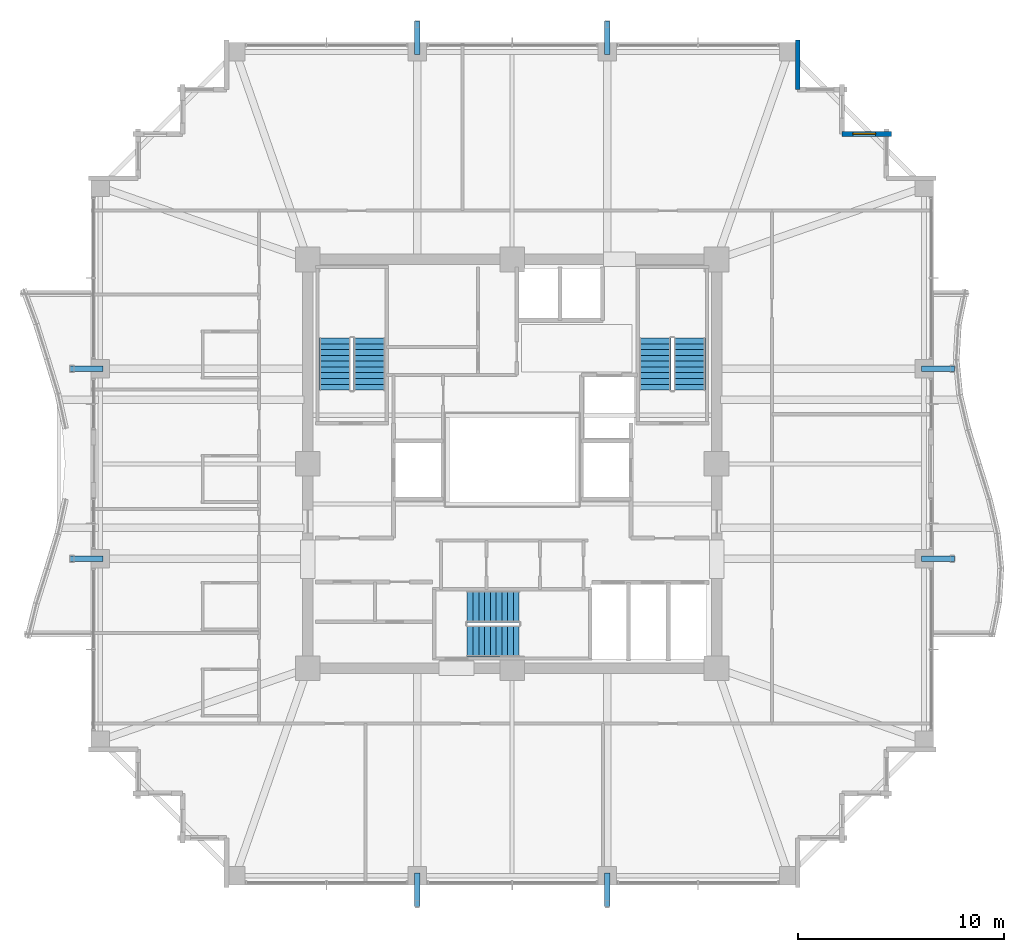
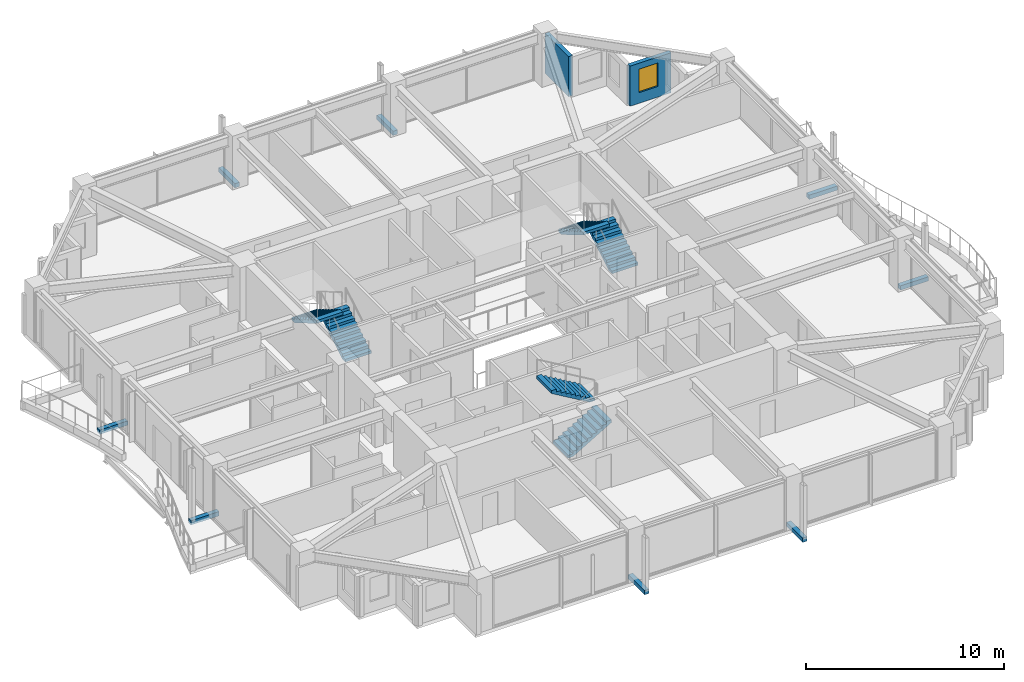
# One storey, part 33 of 35: 8 discrete accessories, 6 stair flights, 2 walls, 1 window, 1 opening, 3 elements without a shape of their own.
"""IFC4 building model written with IfcOpenShell, lengths in metres."""

from ifc_helpers import new_model, si_unit, direction, frame, frame_2d, origin, origin_2d, place, context, subcontext, project, spatial, polyline, rectangle, outline, extrude, material, layer, layer_set, type_object, element, fill, aggregate, save


model = new_model("IFC4")

# Units and contexts
model_context = context("Model", 3, precision=1e-05, world=origin(), true_north=direction((0.0, 1.0)))
body_context = subcontext(model_context, "Body", "Model", "MODEL_VIEW")
ifc_project = project(units=[si_unit("LENGTHUNIT", "METRE"), si_unit("AREAUNIT", "SQUARE_METRE"), si_unit("VOLUMEUNIT", "CUBIC_METRE"), si_unit("PLANEANGLEUNIT", "RADIAN"), si_unit("MASSUNIT", "GRAM", prefix="KILO")], contexts=[model_context])

# Site, building, storey
site_placement = place(None, origin())
site = spatial("IfcSite", under=ifc_project, at=site_placement, CompositionType="ELEMENT")
building_placement = place(site_placement, origin())
building = spatial("IfcBuilding", under=site, at=building_placement, Name="Kolvaren Belvedere", CompositionType="ELEMENT")
storey_placement = place(building_placement, frame((0.0, 0.0, 183.300048828125)))
storey = spatial("IfcBuildingStorey", under=building, at=storey_placement, Name="L53", CompositionType="ELEMENT", Elevation=183.300048828125)

# Wall, opening, window
ifc_material_1 = material(Name="Insulated pale-metal facade wall assembly", Category="aluminium")
ifc_layer = layer(ifc_material_1, 0.239990234375)
ifc_layer_set = layer_set([ifc_layer], Name="Insulated pale-metal facade wall assembly")
wall_type = type_object("IfcWallType", Name="WL-EXT-240", PredefinedType="STANDARD", material=ifc_layer_set)
wall_1_placement = place(storey_placement, frame((15.97998046875, 15.97998046875, 0.0), z_axis=(0.0, 0.0, 1.0), x_axis=(1.0, 0.0, 0.0)))
wall_1 = element("IfcWall", 1, at=wall_1_placement, inside=storey, type_object=wall_type, Name="L53 Serrated Corner Facade Wall 11", PredefinedType="STANDARD", context=body_context, shape_type="SweptSolid", body=[
    extrude(rectangle(XDim=2.39013671875, YDim=0.239990234375, at=frame_2d((1.195068359375, 0.0))), origin(), (0.0, 0.0, 1.0), 2.462890625),
])
opening_placement = place(wall_1_placement, frame((0.52490234375, 0.0, 0.64990234375)))
opening = element("IfcOpeningElement", 2, at=opening_placement, cuts=wall_1, Name="Opening W-1100", PredefinedType="OPENING", context=body_context, shape_type="SweptSolid", body=[
    extrude(rectangle(XDim=1.10009765625, YDim=1.449951171875, at=frame_2d((0.550048828125, 0.72509765625))), frame((0.0, 0.1298828125, 0.0), z_axis=(0.0, -1.0, 0.0), x_axis=(1.0, 0.0, 0.0)), (0.0, 0.0, 1.0), 0.260009765625),
])
ifc_material_2 = material(Name="Low-iron triple insulated glass", Category="glass")
window_type = type_object("IfcWindowType", Name="WN-CORN-1100", PartitioningType="SINGLE_PANEL", PredefinedType="WINDOW", material=ifc_material_2)
window_placement = place(opening_placement, origin())
window = element("IfcWindow", 3, at=window_placement, inside=storey, type_object=window_type, Name="L53 Serrated Corner Vision Window 11", OverallHeight=1.449951171875, OverallWidth=1.10009765625, PartitioningType="SINGLE_PANEL", PredefinedType="WINDOW", context=body_context, shape_type="SweptSolid", body=[
    extrude(rectangle(XDim=1.10009765625, YDim=1.449951171875, at=frame_2d((0.550048828125, 0.72509765625))), frame((0.0, 0.030029296875, 0.0), z_axis=(0.0, -1.0, 0.0), x_axis=(1.0, 0.0, 0.0)), (0.0, 0.0, 1.0), 0.06005859375),
])
fill(opening, window)

# Wall
wall_2_placement = place(storey_placement, frame((13.830078125, 20.52001953125, 0.0), z_axis=(0.0, 0.0, 1.0), x_axis=(0.0, -1.0, 0.0)))
element("IfcWall", 4, at=wall_2_placement, inside=storey, type_object=wall_type, Name="L53 Serrated Corner Facade Wall 14", PredefinedType="STANDARD", context=body_context, shape_type="SweptSolid", body=[
    extrude(rectangle(XDim=2.39013671875, YDim=0.239990234375, at=frame_2d((1.195068359375, 0.0))), origin(), (0.0, 0.0, 1.0), 2.462890625),
])

# Stair, stair flights
ifc_material_3 = material(Name="Concrete C50/60", Category="concrete")
stair_type = type_object("IfcStairType", Name="ST-CORE-1520", PredefinedType="HALF_TURN_STAIR", material=ifc_material_3)
stair_1_placement = place(storey_placement, origin())
stair_1 = element("IfcStair", 5, at=stair_1_placement, inside=storey, type_object=stair_type, Name="L53 Protected Exit Stair ST-1", PredefinedType="HALF_TURN_STAIR")
ifc_material_4 = material(Name="Concrete C50/60", Category="concrete")
stair_flight_type = type_object("IfcStairFlightType", Name="SF-STR-1520", PredefinedType="STRAIGHT", material=ifc_material_4)
stair_flight_1_placement = place(storey_placement, frame((-6.919921875, 3.570068359375, 0.0), z_axis=(0.0, 0.0, 1.0), x_axis=(0.0, 1.0, 0.0)))
stair_flight_1 = element("IfcStairFlight", 6, at=stair_flight_1_placement, type_object=stair_flight_type, Name="ST-1 flight 1", NumberOfRisers=10, NumberOfTreads=9, PredefinedType="STRAIGHT", RiserHeight=0.165, TreadLength=0.28, context=body_context, shape_type="SweptSolid", body=[
    extrude(outline(polyline([(0.0, 0.0), (0.0, 0.1650390625), (0.280029296875, 0.1650390625), (0.280029296875, 0.330078125), (0.56005859375, 0.330078125), (0.56005859375, 0.4951171875), (0.840087890625, 0.4951171875), (0.840087890625, 0.659912109375), (1.1201171875, 0.659912109375), (1.1201171875, 0.824951171875), (1.39990234375, 0.824951171875), (1.39990234375, 0.989990234375), (1.679931640625, 0.989990234375), (1.679931640625, 1.155029296875), (1.9599609375, 1.155029296875), (1.9599609375, 1.320068359375), (2.239990234375, 1.320068359375), (2.239990234375, 1.485107421875), (2.52001953125, 1.485107421875), (2.52001953125, 1.64990234375), (2.52001953125, 1.31103515625), (0.295166015625, 0.0), (0.0, 0.0)])), frame((0.0, 0.760009765625, 0.0), z_axis=(0.0, -1.0, 0.0), x_axis=(1.0, 0.0, 0.0)), (0.0, 0.0, 1.0), 1.52001953125),
])
stair_flight_2_placement = place(storey_placement, frame((-8.590087890625, 6.090087890625, 1.64990234375), z_axis=(0.0, 0.0, 1.0), x_axis=(0.0, -1.0, 0.0)))
stair_flight_2 = element("IfcStairFlight", 7, at=stair_flight_2_placement, type_object=stair_flight_type, Name="ST-1 flight 2", NumberOfRisers=10, NumberOfTreads=9, PredefinedType="STRAIGHT", RiserHeight=0.165, TreadLength=0.28, context=body_context, shape_type="SweptSolid", body=[
    extrude(outline(polyline([(0.0, 0.0), (0.0, 0.1650390625), (0.280029296875, 0.1650390625), (0.280029296875, 0.330078125), (0.56005859375, 0.330078125), (0.56005859375, 0.4951171875), (0.840087890625, 0.4951171875), (0.840087890625, 0.659912109375), (1.1201171875, 0.659912109375), (1.1201171875, 0.824951171875), (1.39990234375, 0.824951171875), (1.39990234375, 0.989990234375), (1.679931640625, 0.989990234375), (1.679931640625, 1.155029296875), (1.9599609375, 1.155029296875), (1.9599609375, 1.320068359375), (2.239990234375, 1.320068359375), (2.239990234375, 1.485107421875), (2.52001953125, 1.485107421875), (2.52001953125, 1.64990234375), (2.52001953125, 1.31103515625), (0.295166015625, 0.0), (0.0, 0.0)])), frame((0.0, 0.760009765625, 0.0), z_axis=(0.0, -1.0, 0.0), x_axis=(1.0, 0.0, 0.0)), (0.0, 0.0, 1.0), 1.52001953125),
])
aggregate(stair_1, [stair_flight_1, stair_flight_2])

stair_2_placement = place(storey_placement, origin())
stair_2 = element("IfcStair", 8, at=stair_2_placement, inside=storey, type_object=stair_type, Name="L53 Protected Exit Stair ST-2", PredefinedType="HALF_TURN_STAIR")
stair_flight_3_placement = place(storey_placement, frame((8.590087890625, 3.570068359375, 0.0), z_axis=(0.0, 0.0, 1.0), x_axis=(0.0, 1.0, 0.0)))
stair_flight_3 = element("IfcStairFlight", 9, at=stair_flight_3_placement, type_object=stair_flight_type, Name="ST-2 flight 1", NumberOfRisers=10, NumberOfTreads=9, PredefinedType="STRAIGHT", RiserHeight=0.165, TreadLength=0.28, context=body_context, shape_type="SweptSolid", body=[
    extrude(outline(polyline([(0.0, 0.0), (0.0, 0.1650390625), (0.280029296875, 0.1650390625), (0.280029296875, 0.330078125), (0.56005859375, 0.330078125), (0.56005859375, 0.4951171875), (0.840087890625, 0.4951171875), (0.840087890625, 0.659912109375), (1.1201171875, 0.659912109375), (1.1201171875, 0.824951171875), (1.39990234375, 0.824951171875), (1.39990234375, 0.989990234375), (1.679931640625, 0.989990234375), (1.679931640625, 1.155029296875), (1.9599609375, 1.155029296875), (1.9599609375, 1.320068359375), (2.239990234375, 1.320068359375), (2.239990234375, 1.485107421875), (2.52001953125, 1.485107421875), (2.52001953125, 1.64990234375), (2.52001953125, 1.31103515625), (0.295166015625, 0.0), (0.0, 0.0)])), frame((0.0, 0.760009765625, 0.0), z_axis=(0.0, -1.0, 0.0), x_axis=(1.0, 0.0, 0.0)), (0.0, 0.0, 1.0), 1.52001953125),
])
stair_flight_4_placement = place(storey_placement, frame((6.919921875, 6.090087890625, 1.64990234375), z_axis=(0.0, 0.0, 1.0), x_axis=(0.0, -1.0, 0.0)))
stair_flight_4 = element("IfcStairFlight", 10, at=stair_flight_4_placement, type_object=stair_flight_type, Name="ST-2 flight 2", NumberOfRisers=10, NumberOfTreads=9, PredefinedType="STRAIGHT", RiserHeight=0.165, TreadLength=0.28, context=body_context, shape_type="SweptSolid", body=[
    extrude(outline(polyline([(0.0, 0.0), (0.0, 0.1650390625), (0.280029296875, 0.1650390625), (0.280029296875, 0.330078125), (0.56005859375, 0.330078125), (0.56005859375, 0.4951171875), (0.840087890625, 0.4951171875), (0.840087890625, 0.659912109375), (1.1201171875, 0.659912109375), (1.1201171875, 0.824951171875), (1.39990234375, 0.824951171875), (1.39990234375, 0.989990234375), (1.679931640625, 0.989990234375), (1.679931640625, 1.155029296875), (1.9599609375, 1.155029296875), (1.9599609375, 1.320068359375), (2.239990234375, 1.320068359375), (2.239990234375, 1.485107421875), (2.52001953125, 1.485107421875), (2.52001953125, 1.64990234375), (2.52001953125, 1.31103515625), (0.295166015625, 0.0), (0.0, 0.0)])), frame((0.0, 0.760009765625, 0.0), z_axis=(0.0, -1.0, 0.0), x_axis=(1.0, 0.0, 0.0)), (0.0, 0.0, 1.0), 1.52001953125),
])
aggregate(stair_2, [stair_flight_3, stair_flight_4])

stair_3_placement = place(storey_placement, origin())
stair_3 = element("IfcStair", 11, at=stair_3_placement, inside=storey, type_object=stair_type, Name="L53 Protected Exit Stair ST-3", PredefinedType="HALF_TURN_STAIR")
stair_flight_5_placement = place(storey_placement, frame((-2.179931640625, -8.590087890625, 0.0), z_axis=(0.0, 0.0, 1.0), x_axis=(1.0, 0.0, 0.0)))
stair_flight_5 = element("IfcStairFlight", 12, at=stair_flight_5_placement, type_object=stair_flight_type, Name="ST-3 flight 1", NumberOfRisers=10, NumberOfTreads=9, PredefinedType="STRAIGHT", RiserHeight=0.165, TreadLength=0.28, context=body_context, shape_type="SweptSolid", body=[
    extrude(outline(polyline([(0.0, 0.0), (0.0, 0.1650390625), (0.280029296875, 0.1650390625), (0.280029296875, 0.330078125), (0.56005859375, 0.330078125), (0.56005859375, 0.4951171875), (0.840087890625, 0.4951171875), (0.840087890625, 0.659912109375), (1.1201171875, 0.659912109375), (1.1201171875, 0.824951171875), (1.39990234375, 0.824951171875), (1.39990234375, 0.989990234375), (1.679931640625, 0.989990234375), (1.679931640625, 1.155029296875), (1.9599609375, 1.155029296875), (1.9599609375, 1.320068359375), (2.239990234375, 1.320068359375), (2.239990234375, 1.485107421875), (2.52001953125, 1.485107421875), (2.52001953125, 1.64990234375), (2.52001953125, 1.31103515625), (0.295166015625, 0.0), (0.0, 0.0)])), frame((0.0, 0.760009765625, 0.0), z_axis=(0.0, -1.0, 0.0), x_axis=(1.0, 0.0, 0.0)), (0.0, 0.0, 1.0), 1.52001953125),
])
stair_flight_6_placement = place(storey_placement, frame((0.340087890625, -6.919921875, 1.64990234375), z_axis=(0.0, 0.0, 1.0), x_axis=(-1.0, 0.0, 0.0)))
stair_flight_6 = element("IfcStairFlight", 13, at=stair_flight_6_placement, type_object=stair_flight_type, Name="ST-3 flight 2", NumberOfRisers=10, NumberOfTreads=9, PredefinedType="STRAIGHT", RiserHeight=0.165, TreadLength=0.28, context=body_context, shape_type="SweptSolid", body=[
    extrude(outline(polyline([(0.0, 0.0), (0.0, 0.1650390625), (0.280029296875, 0.1650390625), (0.280029296875, 0.330078125), (0.56005859375, 0.330078125), (0.56005859375, 0.4951171875), (0.840087890625, 0.4951171875), (0.840087890625, 0.659912109375), (1.1201171875, 0.659912109375), (1.1201171875, 0.824951171875), (1.39990234375, 0.824951171875), (1.39990234375, 0.989990234375), (1.679931640625, 0.989990234375), (1.679931640625, 1.155029296875), (1.9599609375, 1.155029296875), (1.9599609375, 1.320068359375), (2.239990234375, 1.320068359375), (2.239990234375, 1.485107421875), (2.52001953125, 1.485107421875), (2.52001953125, 1.64990234375), (2.52001953125, 1.31103515625), (0.295166015625, 0.0), (0.0, 0.0)])), frame((0.0, 0.760009765625, 0.0), z_axis=(0.0, -1.0, 0.0), x_axis=(1.0, 0.0, 0.0)), (0.0, 0.0, 1.0), 1.52001953125),
])
aggregate(stair_3, [stair_flight_5, stair_flight_6])

# Discrete accessories
ifc_material_5 = material(Name="Structural steel ASTM A572 Grade 50", Category="steel")
discrete_accessory_type = type_object("IfcDiscreteAccessoryType", Name="BRK-1 Steel Facade Support Bracket", PredefinedType="BRACKET", material=ifc_material_5)
for number, where, z_axis, x_axis, name in (
    (14, (-4.60009765625, 20.635009765625, -0.169921875), (0.0, 0.0, 1.0), (0.0, 1.0, 0.0), "L53 Picture-Frame Outrigger Cleat Bracket N1"),
    (15, (4.60009765625, 20.635009765625, -0.169921875), (0.0, 0.0, 1.0), (0.0, 1.0, 0.0), "L53 Picture-Frame Outrigger Cleat Bracket N2"),
    (16, (4.60009765625, -20.635009765625, -0.169921875), (0.0, 0.0, 1.0), (0.0, 1.0, 0.0), "L53 Picture-Frame Outrigger Cleat Bracket S1"),
    (17, (-4.60009765625, -20.635009765625, -0.169921875), (0.0, 0.0, 1.0), (0.0, 1.0, 0.0), "L53 Picture-Frame Outrigger Cleat Bracket S2"),
    (18, (20.635009765625, 4.60009765625, -0.169921875), (0.0, 0.0, 1.0), (1.0, 0.0, 0.0), "L53 Picture-Frame Outrigger Cleat Bracket E1"),
    (19, (20.635009765625, -4.60009765625, -0.169921875), (0.0, 0.0, 1.0), (1.0, 0.0, 0.0), "L53 Picture-Frame Outrigger Cleat Bracket E2"),
    (20, (-20.635009765625, -4.60009765625, -0.169921875), (0.0, 0.0, 1.0), (1.0, 0.0, 0.0), "L53 Picture-Frame Outrigger Cleat Bracket W1"),
    (21, (-20.635009765625, 4.60009765625, -0.169921875), (0.0, 0.0, 1.0), (1.0, 0.0, 0.0), "L53 Picture-Frame Outrigger Cleat Bracket W2"),
):
    element("IfcDiscreteAccessory", number, at=place(storey_placement, frame(where, z_axis=z_axis, x_axis=x_axis)), inside=storey, type_object=discrete_accessory_type, Name=name, PredefinedType="BRACKET", context=body_context, shape_type="SweptSolid", body=[
        extrude(rectangle(XDim=1.639892578125, YDim=0.260009765625, at=origin_2d()), origin(), (0.0, 0.0, 1.0), 0.260009765625),
    ])

save(model, "model.ifc")
